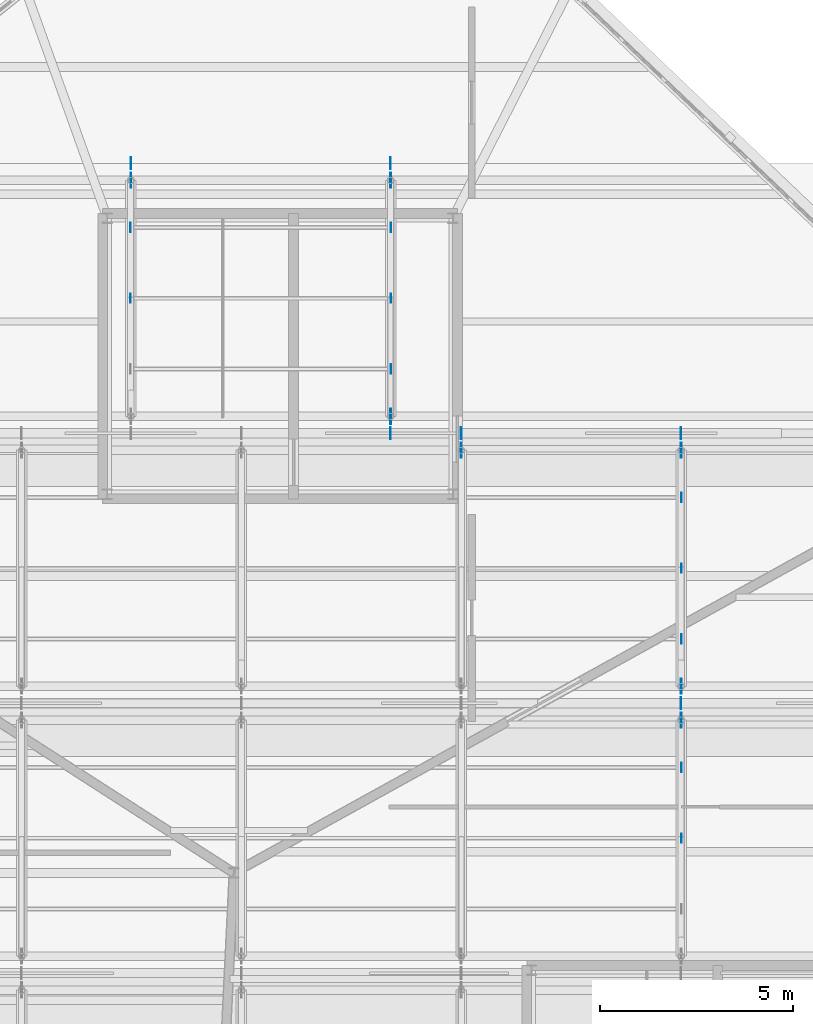
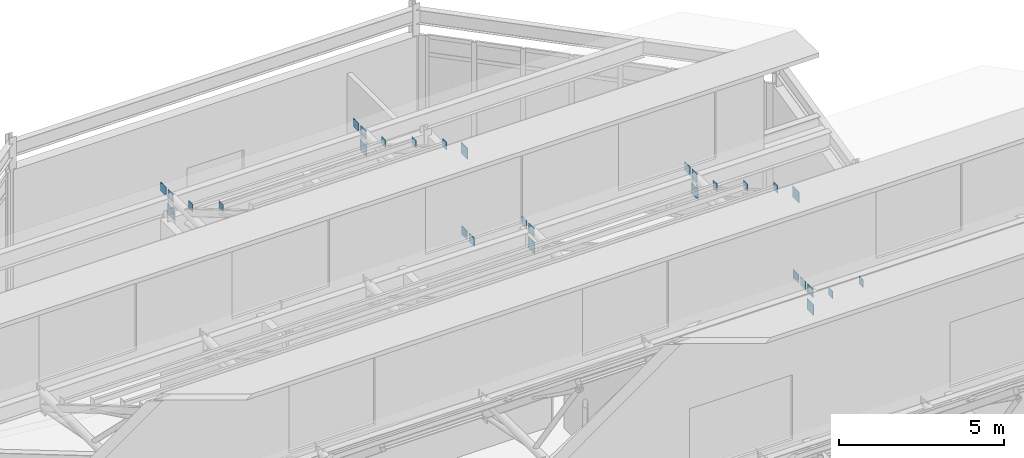
# One storey, part 50 of 55: 30 plates.
"""IFC4 building model written with IfcOpenShell, lengths in metres."""

from ifc_helpers import new_model, si_unit, direction, frame, origin, origin_2d, place, context, subcontext, project, spatial, rectangle, extrude, material, layer, layer_set, type_object, element, save


model = new_model("IFC4")

# Units and contexts
model_context = context("Model", 3, precision=1e-05, world=origin(), true_north=direction((0.0, 1.0)))
body_context = subcontext(model_context, "Body", "Model", "MODEL_VIEW")
ifc_project = project(units=[si_unit("LENGTHUNIT", "METRE"), si_unit("AREAUNIT", "SQUARE_METRE"), si_unit("VOLUMEUNIT", "CUBIC_METRE"), si_unit("PLANEANGLEUNIT", "RADIAN"), si_unit("MASSUNIT", "GRAM", prefix="KILO")], contexts=[model_context])

# Site, building, storey
site_placement = place(None, origin())
site = spatial("IfcSite", under=ifc_project, at=site_placement, CompositionType="ELEMENT")
building_placement = place(site_placement, origin())
building = spatial("IfcBuilding", under=site, at=building_placement, Name="Tameran Prism Museum", CompositionType="ELEMENT")
storey_placement = place(building_placement, frame((0.0, 0.0, 28.800048828125)))
storey = spatial("IfcBuildingStorey", under=building, at=storey_placement, Name="L05", CompositionType="ELEMENT", Elevation=28.800048828125)

# Plates
ifc_material_1 = material(Name="Steel Grade 350 (350 MPa)", Category="steel")
ifc_layer_1 = layer(ifc_material_1, 0.01611328125)
ifc_layer_set_1 = layer_set([ifc_layer_1])
plate_type_1 = type_object("IfcPlateType", Name="PL-CAP-16", PredefinedType="USERDEFINED", material=ifc_layer_set_1)
for number, where, z_axis, x_axis, name in (
    (1, (130.407958984375, 90.0, 8.43115234375), (0.0, 0.0, 1.0), (1.0, 0.0, 0.0), "Purlin End Cap Plate PR-014 E"),
    (2, (130.407958984375, 91.8359375, 6.89892578125), (0.0, 0.0, 1.0), (1.0, 0.0, 0.0), "Purlin End Cap Plate PR-015 E"),
):
    element("IfcPlate", number, at=place(storey_placement, frame(where, z_axis=z_axis, x_axis=x_axis)), inside=storey, type_object=plate_type_1, Name=name, ObjectType="GUSSET PLATE", PredefinedType="USERDEFINED", context=body_context, shape_type="SweptSolid", body=[
        extrude(rectangle(XDim=0.01611328125, YDim=0.239990234375, at=origin_2d()), origin(), (0.0, 0.0, 1.0), 0.280029296875),
    ])
for number, where, z_axis, x_axis, name in (
    (3, (130.39990234375, 93.06005859375, 6.22607421875), (0.0, 0.0, 1.0), (1.0, 0.0, 0.0), "Truss Node Gusset Plate GP-0086"),
    (4, (130.39990234375, 93.5, 6.22607421875), (0.0, 0.0, 1.0), (1.0, 0.0, 0.0), "Truss Node Gusset Plate GP-0087"),
):
    element("IfcPlate", number, at=place(storey_placement, frame(where, z_axis=z_axis, x_axis=x_axis)), inside=storey, type_object=plate_type_1, Name=name, ObjectType="GUSSET PLATE", PredefinedType="USERDEFINED", context=body_context, shape_type="SweptSolid", body=[
        extrude(rectangle(XDim=0.01611328125, YDim=0.320068359375, at=origin_2d()), origin(), (0.0, 0.0, 1.0), 0.320068359375),
    ])
for number, where, z_axis, x_axis, name in (
    (5, (130.407958984375, 95.1640625, 8.77392578125), (0.0, 0.0, 1.0), (1.0, 0.0, 0.0), "Purlin End Cap Plate PR-019 E"),
    (6, (130.407958984375, 97.0, 7.72314453125), (0.0, 0.0, 1.0), (1.0, 0.0, 0.0), "Purlin End Cap Plate PR-020 E"),
    (7, (130.407958984375, 98.8359375, 6.61376953125), (0.0, 0.0, 1.0), (1.0, 0.0, 0.0), "Purlin End Cap Plate PR-021 E"),
):
    element("IfcPlate", number, at=place(storey_placement, frame(where, z_axis=z_axis, x_axis=x_axis)), inside=storey, type_object=plate_type_1, Name=name, ObjectType="GUSSET PLATE", PredefinedType="USERDEFINED", context=body_context, shape_type="SweptSolid", body=[
        extrude(rectangle(XDim=0.01611328125, YDim=0.239990234375, at=origin_2d()), origin(), (0.0, 0.0, 1.0), 0.280029296875),
    ])
for number, where, z_axis, x_axis, name in (
    (8, (124.699951171875, 100.06005859375, 6.22607421875), (0.0, 0.0, 1.0), (1.0, 0.0, 0.0), "Truss Node Gusset Plate GP-0106"),
    (9, (124.699951171875, 100.5, 6.22607421875), (0.0, 0.0, 1.0), (1.0, 0.0, 0.0), "Truss Node Gusset Plate GP-0107"),
    (10, (130.39990234375, 93.93994140625, 6.22607421875), (0.0, 0.0, 1.0), (1.0, 0.0, 0.0), "Truss Node Gusset Plate GP-0110"),
    (11, (130.39990234375, 100.06005859375, 6.22607421875), (0.0, 0.0, 1.0), (1.0, 0.0, 0.0), "Truss Node Gusset Plate GP-0111"),
    (12, (130.39990234375, 100.5, 6.22607421875), (0.0, 0.0, 1.0), (1.0, 0.0, 0.0), "Truss Node Gusset Plate GP-0112"),
):
    element("IfcPlate", number, at=place(storey_placement, frame(where, z_axis=z_axis, x_axis=x_axis)), inside=storey, type_object=plate_type_1, Name=name, ObjectType="GUSSET PLATE", PredefinedType="USERDEFINED", context=body_context, shape_type="SweptSolid", body=[
        extrude(rectangle(XDim=0.01611328125, YDim=0.320068359375, at=origin_2d()), origin(), (0.0, 0.0, 1.0), 0.320068359375),
    ])
for number, where, z_axis, x_axis, name in (
    (13, (122.875, 102.1640625, 8.77392578125), (0.0, 0.0, 1.0), (1.0, 0.0, 0.0), "Purlin End Cap Plate PR-025 E"),
    (14, (116.125, 104.0, 7.72314453125), (0.0, 0.0, 1.0), (1.0, 0.0, 0.0), "Purlin End Cap Plate PR-026 W"),
    (15, (122.875, 104.0, 7.72314453125), (0.0, 0.0, 1.0), (1.0, 0.0, 0.0), "Purlin End Cap Plate PR-026 E"),
    (16, (116.125, 105.8359375, 6.61376953125), (0.0, 0.0, 1.0), (1.0, 0.0, 0.0), "Purlin End Cap Plate PR-027 W"),
    (17, (122.875, 105.8359375, 6.61376953125), (0.0, 0.0, 1.0), (1.0, 0.0, 0.0), "Purlin End Cap Plate PR-027 E"),
):
    element("IfcPlate", number, at=place(storey_placement, frame(where, z_axis=z_axis, x_axis=x_axis)), inside=storey, type_object=plate_type_1, Name=name, ObjectType="GUSSET PLATE", PredefinedType="USERDEFINED", context=body_context, shape_type="SweptSolid", body=[
        extrude(rectangle(XDim=0.01611328125, YDim=0.239990234375, at=origin_2d()), origin(), (0.0, 0.0, 1.0), 0.280029296875),
    ])
for number, where, z_axis, x_axis, name in (
    (18, (116.133056640625, 107.06005859375, 6.22607421875), (0.0, 0.0, 1.0), (1.0, 0.0, 0.0), "Truss Node Gusset Plate GP-0116"),
    (19, (116.133056640625, 107.5, 6.22607421875), (0.0, 0.0, 1.0), (1.0, 0.0, 0.0), "Truss Node Gusset Plate GP-0118"),
    (20, (122.866943359375, 100.93994140625, 6.22607421875), (0.0, 0.0, 1.0), (1.0, 0.0, 0.0), "Truss Node Gusset Plate GP-0121"),
    (21, (122.866943359375, 107.06005859375, 6.22607421875), (0.0, 0.0, 1.0), (1.0, 0.0, 0.0), "Truss Node Gusset Plate GP-0122"),
    (22, (122.866943359375, 100.5, 6.22607421875), (0.0, 0.0, 1.0), (1.0, 0.0, 0.0), "Truss Node Gusset Plate GP-0123"),
    (23, (122.866943359375, 107.5, 6.22607421875), (0.0, 0.0, 1.0), (1.0, 0.0, 0.0), "Truss Node Gusset Plate GP-0124"),
):
    element("IfcPlate", number, at=place(storey_placement, frame(where, z_axis=z_axis, x_axis=x_axis)), inside=storey, type_object=plate_type_1, Name=name, ObjectType="GUSSET PLATE", PredefinedType="USERDEFINED", context=body_context, shape_type="SweptSolid", body=[
        extrude(rectangle(XDim=0.01611328125, YDim=0.320068359375, at=origin_2d()), origin(), (0.0, 0.0, 1.0), 0.320068359375),
    ])
ifc_material_2 = material(Name="Steel Grade 350 (350 MPa)", Category="steel")
ifc_layer_2 = layer(ifc_material_2, 0.02001953125)
ifc_layer_set_2 = layer_set([ifc_layer_2])
plate_type_2 = type_object("IfcPlateType", Name="PL-GUS-20", PredefinedType="USERDEFINED", material=ifc_layer_set_2)
for number, where, z_axis, x_axis, name in (
    (24, (130.39990234375, 93.06005859375, 5.587890625), (0.0, 0.0, 1.0), (1.0, 0.0, 0.0), "Truss Node Gusset Plate GP-0084"),
    (25, (124.699951171875, 100.06005859375, 5.60888671875), (0.0, 0.0, 1.0), (1.0, 0.0, 0.0), "Truss Node Gusset Plate GP-0104"),
    (26, (130.39990234375, 93.93994140625, 9.208984375), (0.0, 0.0, 1.0), (1.0, 0.0, 0.0), "Truss Node Gusset Plate GP-0108"),
    (27, (130.39990234375, 100.06005859375, 5.60888671875), (0.0, 0.0, 1.0), (1.0, 0.0, 0.0), "Truss Node Gusset Plate GP-0109"),
    (28, (116.133056640625, 107.06005859375, 5.60888671875), (0.0, 0.0, 1.0), (1.0, 0.0, 0.0), "Truss Node Gusset Plate GP-0114"),
    (29, (122.866943359375, 100.93994140625, 9.208984375), (0.0, 0.0, 1.0), (1.0, 0.0, 0.0), "Truss Node Gusset Plate GP-0119"),
    (30, (122.866943359375, 107.06005859375, 5.60888671875), (0.0, 0.0, 1.0), (1.0, 0.0, 0.0), "Truss Node Gusset Plate GP-0120"),
):
    element("IfcPlate", number, at=place(storey_placement, frame(where, z_axis=z_axis, x_axis=x_axis)), inside=storey, type_object=plate_type_2, Name=name, ObjectType="GUSSET PLATE", PredefinedType="USERDEFINED", context=body_context, shape_type="SweptSolid", body=[
        extrude(rectangle(XDim=0.02001953125, YDim=0.39990234375, at=origin_2d()), origin(), (0.0, 0.0, 1.0), 0.39990234375),
    ])

save(model, "model.ifc")
